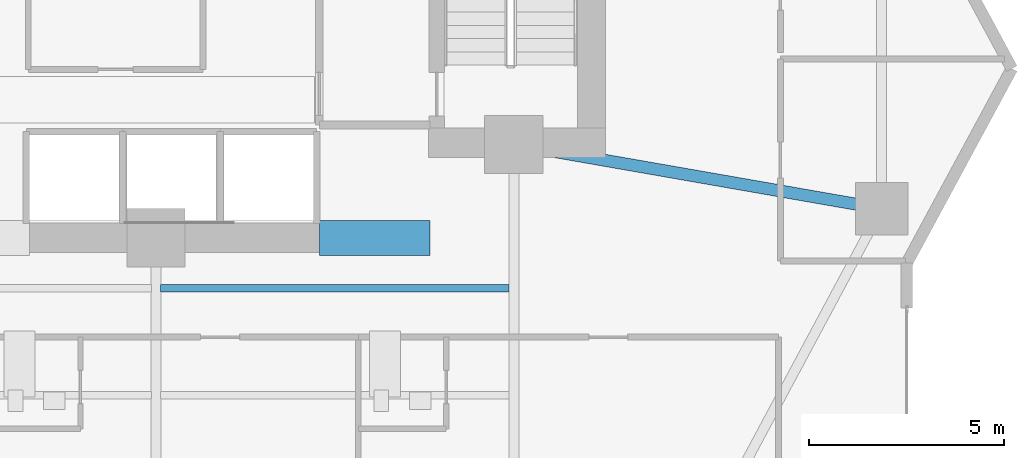
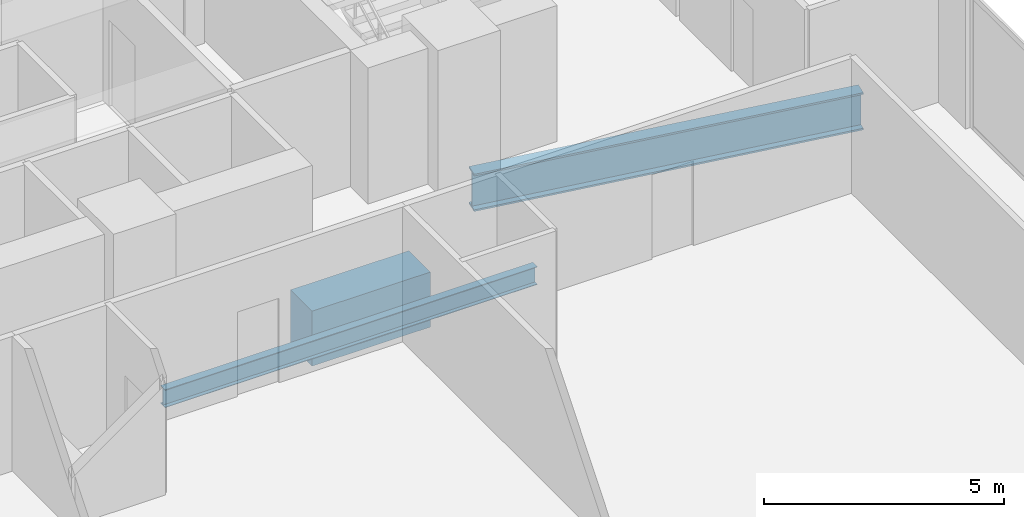
# One storey, part 12 of 27: 3 beams.
"""IFC4 building model written with IfcOpenShell, lengths in metres."""

from ifc_helpers import new_model, si_unit, direction, frame, origin, origin_2d, place, context, subcontext, project, spatial, rectangle, i_section, extrude, material, material_profile, profile_set, type_object, element, save


model = new_model("IFC4")

# Units and contexts
model_context = context("Model", 3, precision=1e-05, world=origin(), true_north=direction((0.0, 1.0)))
body_context = subcontext(model_context, "Body", "Model", "MODEL_VIEW")
ifc_project = project(units=[si_unit("LENGTHUNIT", "METRE"), si_unit("AREAUNIT", "SQUARE_METRE"), si_unit("VOLUMEUNIT", "CUBIC_METRE"), si_unit("PLANEANGLEUNIT", "RADIAN"), si_unit("MASSUNIT", "GRAM", prefix="KILO")], contexts=[model_context])

# Site, building, storey
site_placement = place(None, origin())
site = spatial("IfcSite", under=ifc_project, at=site_placement, CompositionType="ELEMENT")
building_placement = place(site_placement, origin())
building = spatial("IfcBuilding", under=site, at=building_placement, Name="Zuhayl Quay Hotel", CompositionType="ELEMENT")
storey_placement = place(building_placement, frame((0.0, 0.0, 124.85009765625)))
storey = spatial("IfcBuildingStorey", under=building, at=storey_placement, Name="L31", CompositionType="ELEMENT", Elevation=124.85009765625)

# Beams
ifc_material_1 = material(Name="Concrete C60/75", Category="concrete")
ifc_material_profile_1 = material_profile(ifc_material_1, rectangle(XDim=0.89990234375, YDim=1.39990234375, at=origin_2d()), Name="RC900X1400")
ifc_profile_set_1 = profile_set([ifc_material_profile_1], Name="Concrete C60/75")
beam_type_1 = type_object("IfcBeamType", Name="BM_CB1_RC900", PredefinedType="T_BEAM", material=ifc_profile_set_1)
beam_1_placement = place(storey_placement, frame((8.800048828125, 2.14990234375, -0.920166015625), z_axis=(1.0, 0.0, 0.0), x_axis=(0.0, 1.0, 0.0)))
element("IfcBeam", 1, at=beam_1_placement, inside=storey, type_object=beam_type_1, Name="L31 Core Coupling Beam SE", PredefinedType="T_BEAM", context=body_context, shape_type="SweptSolid", body=[
    extrude(rectangle(XDim=0.89990234375, YDim=1.39990234375, at=origin_2d()), origin(), (0.0, 0.0, 1.0), 2.849853515625),
])
ifc_material_2 = material(Name="Steel ASTM A992 Grade 50", Category="steel")
ifc_material_profile_2 = material_profile(ifc_material_2, i_section(OverallWidth=0.18994140625, OverallDepth=0.45703125, WebThickness=0.009033203125, FlangeThickness=0.014404296875, at=origin_2d()), Name="W18X50")
ifc_profile_set_2 = profile_set([ifc_material_profile_2], Name="Steel ASTM A992 Grade 50")
beam_type_2 = type_object("IfcBeamType", Name="BM_J2_W18X50", PredefinedType="JOIST", material=ifc_profile_set_2)
beam_2_placement = place(storey_placement, frame((4.718994140625, 0.85009765625, -0.448486328125), z_axis=(1.0, 0.0, 0.0), x_axis=(0.0, 1.0, 0.0)))
element("IfcBeam", 2, at=beam_2_placement, inside=storey, type_object=beam_type_2, Name="L31 Floor Beam FJ_L31_9_3", PredefinedType="JOIST", context=body_context, shape_type="SweptSolid", body=[
    extrude(i_section(OverallWidth=0.18994140625, OverallDepth=0.45703125, WebThickness=0.009033203125, FlangeThickness=0.014404296875, at=origin_2d()), origin(), (0.0, 0.0, 1.0), 8.9619140625),
])
ifc_material_profile_3 = material_profile(ifc_material_2, i_section(OverallWidth=0.31005859375, OverallDepth=0.949951171875, WebThickness=0.0244140625, FlangeThickness=0.0439453125, at=origin_2d()), Name="W36X256")
ifc_profile_set_3 = profile_set([ifc_material_profile_3], Name="Steel ASTM A992 Grade 50")
beam_type_3 = type_object("IfcBeamType", Name="BM_PG1_W36X256", PredefinedType="BEAM", material=ifc_profile_set_3)
beam_3_placement = place(storey_placement, frame((14.243408203125, 4.47265625, -0.695068359375), z_axis=(0.985097302632, -0.171997977741, 0.0), x_axis=(0.171997977741, 0.985097302632, 0.0)))
element("IfcBeam", 3, at=beam_3_placement, inside=storey, type_object=beam_type_3, Name="L31 Floor Beam FG_E_L31_1", PredefinedType="BEAM", context=body_context, shape_type="SweptSolid", body=[
    extrude(i_section(OverallWidth=0.31005859375, OverallDepth=0.949951171875, WebThickness=0.0244140625, FlangeThickness=0.0439453125, at=origin_2d()), origin(), (0.0, 0.0, 1.0), 8.64306640625),
])

save(model, "model.ifc")
